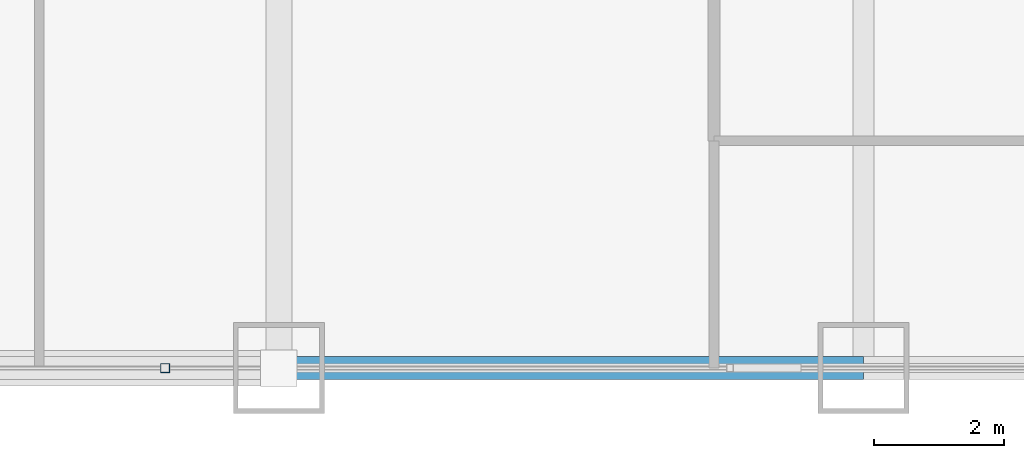
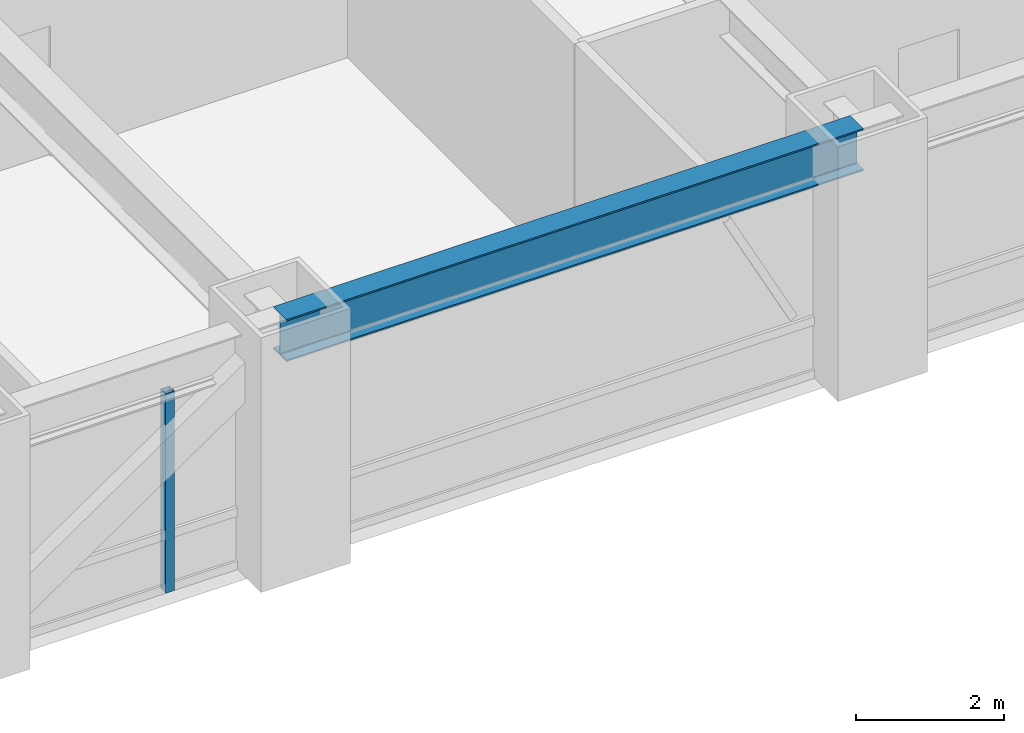
# One storey, part 8 of 28: 1 beam, 1 member, 1 element without a shape of its own.
"""IFC4 building model written with IfcOpenShell, lengths in metres."""

from ifc_helpers import new_model, si_unit, direction, frame, origin, origin_2d, place, context, subcontext, project, spatial, hollow_rectangle, i_section, extrude, source, transform, mapped, material, material_profile, profile_set, type_object, element, aggregate, save


model = new_model("IFC4")

# Units and contexts
model_context = context("Model", 3, precision=1e-05, world=origin(), true_north=direction((0.0, 1.0)))
body_context = subcontext(model_context, "Body", "Model", "MODEL_VIEW")
ifc_project = project(units=[si_unit("LENGTHUNIT", "METRE"), si_unit("AREAUNIT", "SQUARE_METRE"), si_unit("VOLUMEUNIT", "CUBIC_METRE"), si_unit("PLANEANGLEUNIT", "RADIAN"), si_unit("MASSUNIT", "GRAM", prefix="KILO")], contexts=[model_context])

# Site, building, storey
site_placement = place(None, origin())
site = spatial("IfcSite", under=ifc_project, at=site_placement, CompositionType="ELEMENT")
building_placement = place(site_placement, origin())
building = spatial("IfcBuilding", under=site, at=building_placement, Name="Khorayat Bourse Tower", CompositionType="ELEMENT")
storey_placement = place(building_placement, frame((0.0, 0.0, 66.199951171875)))
storey = spatial("IfcBuildingStorey", under=building, at=storey_placement, Name="L14", CompositionType="ELEMENT", Elevation=66.199951171875)

# Beam
ifc_material_1 = material(Name="Steel ASTM A992 Grade 50", Category="steel")
ifc_material_profile_1 = material_profile(ifc_material_1, i_section(OverallWidth=0.35498046875, OverallDepth=0.695068359375, WebThickness=0.015380859375, FlangeThickness=0.02490234375, FilletRadius=0.01806640625, at=origin_2d()), Name="W690X217")
ifc_profile_set_1 = profile_set([ifc_material_profile_1], Name="Steel ASTM A992 Grade 50")
beam_type = type_object("IfcBeamType", Name="BM-SPAN-690", PredefinedType="SPANDREL", material=ifc_profile_set_1)
shared_shape_1 = source(origin(), body_context, "Body", "SweptSolid", [
    extrude(i_section(OverallWidth=0.35498046875, OverallDepth=0.695068359375, WebThickness=0.015380859375, FlangeThickness=0.02490234375, FilletRadius=0.01806640625, at=origin_2d()), origin(), (0.0, 0.0, 1.0), 9.0),
])
beam_placement = place(storey_placement, frame((11.0, -32.0, 3.592529296875), z_axis=(1.0, 0.0, 0.0), x_axis=(0.0, 1.0, 0.0)))
element("IfcBeam", 1, at=beam_placement, inside=storey, type_object=beam_type, Name="L14 BM-SPAN-690 BM-L14-SPN-030", PredefinedType="SPANDREL", context=body_context, shape_type="MappedRepresentation", body=[
    mapped(shared_shape_1, transform((0.0, 0.0, 0.0), scale=1.0)),
])

# Curtain wall, member
ifc_material_2 = material(Name="Aluminium EN AW-6063 T6", Category="aluminium")
curtain_wall_type = type_object("IfcCurtainWallType", Name="CW-SYS-02", PredefinedType="NOTDEFINED", material=ifc_material_2)
curtain_wall_placement = place(storey_placement, origin())
curtain_wall = element("IfcCurtainWall", 2, at=curtain_wall_placement, inside=storey, type_object=curtain_wall_type, Name="L14 Curtain Wall CW-L14-S1", PredefinedType="NOTDEFINED")
ifc_material_profile_2 = material_profile(ifc_material_2, hollow_rectangle(XDim=0.139892578125, YDim=0.139892578125, WallThickness=0.006103515625, at=origin_2d()), Name="ALU 140x140x6")
ifc_profile_set_2 = profile_set([ifc_material_profile_2], Name="Aluminium EN AW-6063 T6")
member_type = type_object("IfcMemberType", Name="CWM-VERT-140", PredefinedType="MULLION", material=ifc_profile_set_2)
shared_shape_2 = source(origin(), body_context, "Body", "SweptSolid", [
    extrude(hollow_rectangle(XDim=0.139892578125, YDim=0.139892578125, WallThickness=0.006103515625, at=origin_2d()), origin(), (0.0, 0.0, 1.0), 3.2900390625),
])
member_placement = place(storey_placement, frame((9.25, -32.0, 0.0), z_axis=(0.0, 0.0, 1.0), x_axis=(0.0, 1.0, 0.0)))
member = element("IfcMember", 3, at=member_placement, type_object=member_type, Name="CW-L14-S1 Vertical Mullion 3", PredefinedType="MULLION", context=body_context, shape_type="MappedRepresentation", body=[
    mapped(shared_shape_2, transform((0.0, 0.0, 0.0), scale=1.0)),
])
aggregate(curtain_wall, [member])

save(model, "model.ifc")
